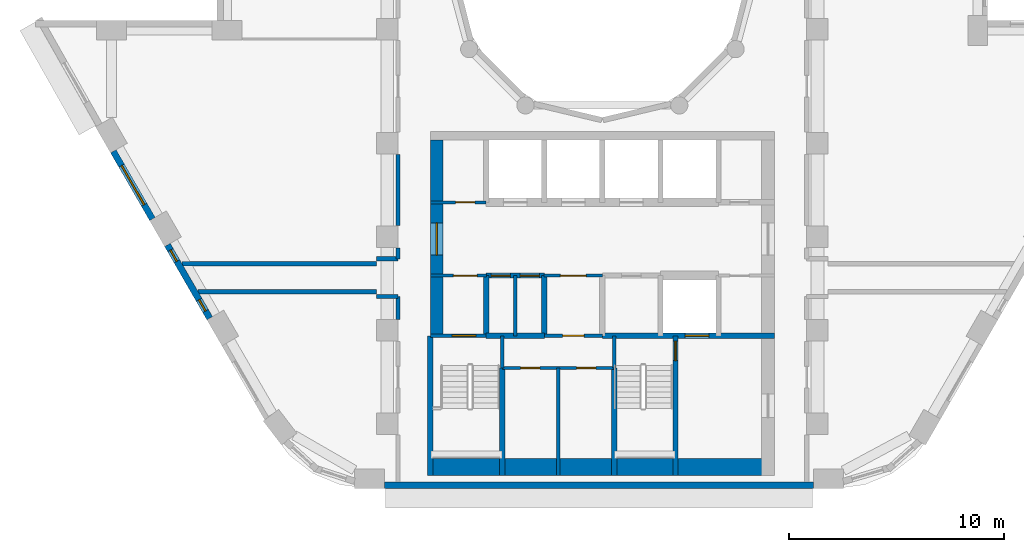
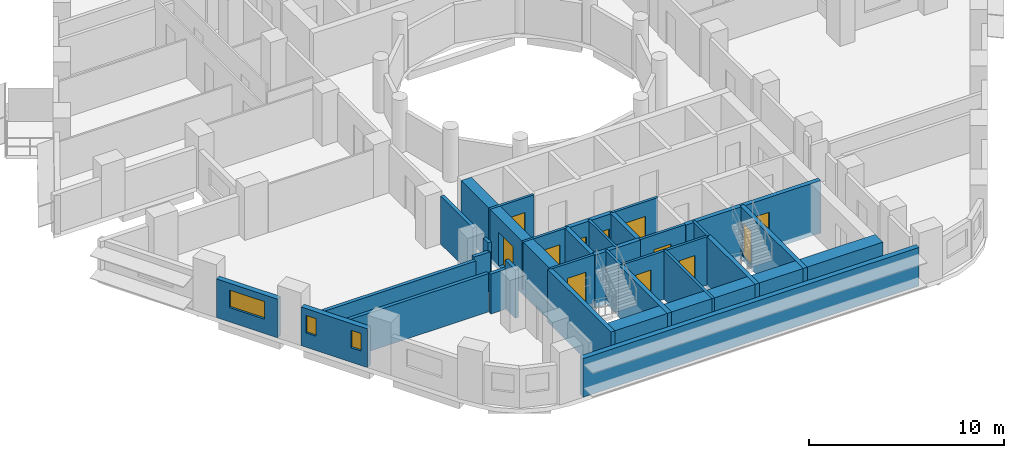
# One storey, part 3 of 14: 31 walls, 12 doors, 3 windows, 15 openings.
"""IFC4 building model written with IfcOpenShell, lengths in metres."""

from ifc_helpers import new_model, si_unit, direction, frame, frame_2d, origin, place, context, subcontext, project, spatial, rectangle, extrude, material, layer, layer_set, type_object, element, fill, save


model = new_model("IFC4")

# Units and contexts
model_context = context("Model", 3, precision=1e-05, world=origin(), true_north=direction((0.0, 1.0)))
body_context = subcontext(model_context, "Body", "Model", "MODEL_VIEW")
ifc_project = project(units=[si_unit("LENGTHUNIT", "METRE"), si_unit("AREAUNIT", "SQUARE_METRE"), si_unit("VOLUMEUNIT", "CUBIC_METRE"), si_unit("PLANEANGLEUNIT", "RADIAN"), si_unit("MASSUNIT", "GRAM", prefix="KILO")], contexts=[model_context])

# Site, building, storey
site_placement = place(None, origin())
site = spatial("IfcSite", under=ifc_project, at=site_placement, CompositionType="ELEMENT")
building_placement = place(site_placement, origin())
building = spatial("IfcBuilding", under=site, at=building_placement, Name="Nakaniwa Court", CompositionType="ELEMENT")
storey_placement = place(building_placement, frame((0.0, 0.0, 114.0)))
storey = spatial("IfcBuildingStorey", under=building, at=storey_placement, Name="L30", CompositionType="ELEMENT", Elevation=114.0)

# Walls
ifc_material_1 = material(Name="Acoustic double stud partition")
ifc_layer_1 = layer(ifc_material_1, 0.199951171875)
ifc_layer_set_1 = layer_set([ifc_layer_1], Name="Acoustic double stud partition")
wall_type_1 = type_object("IfcWallType", Name="Acoustic double stud partition 200", PredefinedType="PARTITIONING", material=ifc_layer_set_1)
wall_1_placement = place(storey_placement, frame((61.207275390625, 65.14990234375, 0.0), z_axis=(0.0, 0.0, 1.0), x_axis=(1.0, 0.0, 0.0)))
element("IfcWall", 1, at=wall_1_placement, inside=storey, type_object=wall_type_1, Name="Partition PW-090", PredefinedType="PARTITIONING", context=body_context, shape_type="SweptSolid", body=[
    extrude(rectangle(XDim=8.292724609375, YDim=0.199951171875, at=frame_2d((4.146484375, 0.0))), origin(), (0.0, 0.0, 1.0), 2.405029296875),
])
for number, where, z_axis, x_axis, name in (
    (2, (69.5, 64.925048828125, 0.0), (0.0, 0.0, 1.0), (1.0, 0.0, 0.0), "Partition PW-092"),
    (3, (69.5, 66.675048828125, 0.0), (0.0, 0.0, 1.0), (1.0, 0.0, 0.0), "Partition PW-094"),
):
    element("IfcWall", number, at=place(storey_placement, frame(where, z_axis=z_axis, x_axis=x_axis)), inside=storey, type_object=wall_type_1, Name=name, PredefinedType="PARTITIONING", context=body_context, shape_type="SweptSolid", body=[
        extrude(rectangle(XDim=1.0, YDim=0.199951171875, at=frame_2d((0.5, 0.0))), origin(), (0.0, 0.0, 1.0), 2.5048828125),
    ])
wall_2_placement = place(storey_placement, frame((60.456787109375, 66.449951171875, 0.0), z_axis=(0.0, 0.0, 1.0), x_axis=(1.0, 0.0, 0.0)))
element("IfcWall", 4, at=wall_2_placement, inside=storey, type_object=wall_type_1, Name="Partition PW-096", PredefinedType="PARTITIONING", context=body_context, shape_type="SweptSolid", body=[
    extrude(rectangle(XDim=9.043212890625, YDim=0.199951171875, at=frame_2d((4.521484375, 0.0))), origin(), (0.0, 0.0, 1.0), 2.405029296875),
])
wall_3_placement = place(storey_placement, frame((70.5, 63.866943359375, 0.0), z_axis=(0.0, 0.0, 1.0), x_axis=(0.0, 1.0, 0.0)))
element("IfcWall", 5, at=wall_3_placement, inside=storey, type_object=wall_type_1, Name="Partition PW-100", PredefinedType="PARTITIONING", context=body_context, shape_type="SweptSolid", body=[
    extrude(rectangle(XDim=1.06103515625, YDim=0.199951171875, at=frame_2d((0.530517578125, 0.0))), origin(), (0.0, 0.0, 1.0), 3.02490234375),
])
wall_4_placement = place(storey_placement, frame((70.5, 66.672119140625, 0.0), z_axis=(0.0, 0.0, 1.0), x_axis=(0.0, 1.0, 0.0)))
element("IfcWall", 6, at=wall_4_placement, inside=storey, type_object=wall_type_1, Name="Partition PW-101", PredefinedType="PARTITIONING", context=body_context, shape_type="SweptSolid", body=[
    extrude(rectangle(XDim=0.510986328125, YDim=0.199951171875, at=frame_2d((0.25537109375, 0.0))), origin(), (0.0, 0.0, 1.0), 3.02490234375),
])
wall_5_placement = place(storey_placement, frame((70.5, 68.217041015625, 0.0), z_axis=(0.0, 0.0, 1.0), x_axis=(0.0, 1.0, 0.0)))
element("IfcWall", 7, at=wall_5_placement, inside=storey, type_object=wall_type_1, Name="Partition PW-102", PredefinedType="PARTITIONING", context=body_context, shape_type="SweptSolid", body=[
    extrude(rectangle(XDim=3.31591796875, YDim=0.199951171875, at=frame_2d((1.657958984375, 0.0))), origin(), (0.0, 0.0, 1.0), 3.02490234375),
])

# Wall, opening, window
ifc_material_2 = material(Name="Charcoal ceramic cladding")
ifc_layer_2 = layer(ifc_material_2, 0.02, Name="Ceramic cladding")
ifc_material_3 = material(Name="Ventilated air cavity")
ifc_layer_3 = layer(ifc_material_3, 0.04, ventilated=True, Name="Ventilated cavity")
ifc_material_4 = material(Name="Mineral wool insulation")
ifc_layer_4 = layer(ifc_material_4, 0.1, Name="Insulation")
ifc_material_5 = material(Name="Cement bonded sheathing board")
ifc_layer_5 = layer(ifc_material_5, 0.012, Name="Sheathing")
ifc_material_6 = material(Name="Cold-formed galvanised stud frame with mineral wool infill")
ifc_layer_6 = layer(ifc_material_6, 0.1, Name="Stud frame")
ifc_material_7 = material(Name="Fire-rated gypsum plasterboard lining")
ifc_layer_7 = layer(ifc_material_7, 0.028, Name="Lining")
ifc_layer_set_2 = layer_set([ifc_layer_2, ifc_layer_3, ifc_layer_4, ifc_layer_5, ifc_layer_6, ifc_layer_7], Name="Charcoal ceramic faced external wall system")
wall_type_2 = type_object("IfcWallType", Name="Black ceramic faced external wall 300", PredefinedType="SOLIDWALL", material=ifc_layer_set_2)
wall_6_placement = place(storey_placement, frame((57.265380859375, 71.677490234375, 0.0), z_axis=(0.0, 0.0, 1.0), x_axis=(0.500009139881, -0.866020126807, 0.0)))
wall_6 = element("IfcWall", 8, at=wall_6_placement, inside=storey, type_object=wall_type_2, Name="L30 external wall 21", PredefinedType="SOLIDWALL", context=body_context, shape_type="SweptSolid", body=[
    extrude(rectangle(XDim=3.63671875, YDim=0.300048828125, at=frame_2d((1.818359375, 0.0))), origin(), (0.0, 0.0, 1.0), 2.425048828125),
])
opening_1_placement = place(wall_6_placement, frame((0.768310546875, 0.0, 0.89990234375)))
opening_1 = element("IfcOpeningElement", 9, at=opening_1_placement, cuts=wall_6, Name="Opening W7.15", PredefinedType="OPENING", context=body_context, shape_type="SweptSolid", body=[
    extrude(rectangle(XDim=2.10009765625, YDim=1.10009765625, at=frame_2d((1.050048828125, 0.550048828125))), frame((0.0, 0.159912109375, 0.0), z_axis=(0.0, -1.0, 0.0), x_axis=(1.0, 0.0, 0.0)), (0.0, 0.0, 1.0), 0.320068359375),
])
ifc_material_8 = material(Name="Black anodised aluminium frame with dark low-E laminated double glazing", Category="aluminium")
window_type_1 = type_object("IfcWindowType", Name="Dark glass window 2100x1100 sill 900", PartitioningType="SINGLE_PANEL", PredefinedType="WINDOW", material=ifc_material_8)
window_1_placement = place(opening_1_placement, origin())
window_1 = element("IfcWindow", 10, at=window_1_placement, inside=storey, type_object=window_type_1, Name="L30 habitable room window 21-0", OverallHeight=1.10009765625, OverallWidth=2.10009765625, PartitioningType="SINGLE_PANEL", PredefinedType="WINDOW", context=body_context, shape_type="SweptSolid", body=[
    extrude(rectangle(XDim=2.10009765625, YDim=1.10009765625, at=frame_2d((1.050048828125, 0.550048828125))), frame((0.0, 0.030029296875, 0.0), z_axis=(0.0, -1.0, 0.0), x_axis=(1.0, 0.0, 0.0)), (0.0, 0.0, 1.0), 0.06005859375),
])
fill(opening_1, window_1)

# Wall, openings, windows
wall_7_placement = place(storey_placement, frame((59.77978515625, 67.322509765625, 0.0), z_axis=(0.0, 0.0, 1.0), x_axis=(0.499957037901, -0.866050206543, 0.0)))
wall_7 = element("IfcWall", 11, at=wall_7_placement, inside=storey, type_object=wall_type_2, Name="L30 external wall 22", PredefinedType="SOLIDWALL", context=body_context, shape_type="SweptSolid", body=[
    extrude(rectangle(XDim=3.933837890625, YDim=0.300048828125, at=frame_2d((1.966796875, 0.0))), origin(), (0.0, 0.0, 1.0), 2.425048828125),
])
opening_2_placement = place(wall_7_placement, frame((0.27783203125, 0.0, 0.89990234375)))
opening_2 = element("IfcOpeningElement", 12, at=opening_2_placement, cuts=wall_7, Name="Opening W8.16", PredefinedType="OPENING", context=body_context, shape_type="SweptSolid", body=[
    extrude(rectangle(XDim=0.60009765625, YDim=1.10009765625, at=frame_2d((0.300048828125, 0.550048828125))), frame((0.0, 0.159912109375, 0.0), z_axis=(0.0, -1.0, 0.0), x_axis=(1.0, 0.0, 0.0)), (0.0, 0.0, 1.0), 0.320068359375),
])
opening_3_placement = place(wall_7_placement, frame((2.9453125, 0.0, 0.89990234375)))
opening_3 = element("IfcOpeningElement", 13, at=opening_3_placement, cuts=wall_7, Name="Opening W8.17", PredefinedType="OPENING", context=body_context, shape_type="SweptSolid", body=[
    extrude(rectangle(XDim=0.60009765625, YDim=1.10009765625, at=frame_2d((0.300048828125, 0.550048828125))), frame((0.0, 0.159912109375, 0.0), z_axis=(0.0, -1.0, 0.0), x_axis=(1.0, 0.0, 0.0)), (0.0, 0.0, 1.0), 0.320068359375),
])
window_type_2 = type_object("IfcWindowType", Name="Dark glass window 600x1100 sill 900", PartitioningType="SINGLE_PANEL", PredefinedType="WINDOW", material=ifc_material_8)
window_2_placement = place(opening_2_placement, origin())
window_2 = element("IfcWindow", 14, at=window_2_placement, inside=storey, type_object=window_type_2, Name="L30 habitable room window 22-0", OverallHeight=1.10009765625, OverallWidth=0.60009765625, PartitioningType="SINGLE_PANEL", PredefinedType="WINDOW", context=body_context, shape_type="SweptSolid", body=[
    extrude(rectangle(XDim=0.60009765625, YDim=1.10009765625, at=frame_2d((0.300048828125, 0.550048828125))), frame((0.0, 0.030029296875, 0.0), z_axis=(0.0, -1.0, 0.0), x_axis=(1.0, 0.0, 0.0)), (0.0, 0.0, 1.0), 0.06005859375),
])
fill(opening_2, window_2)
window_3_placement = place(opening_3_placement, origin())
window_3 = element("IfcWindow", 15, at=window_3_placement, inside=storey, type_object=window_type_2, Name="L30 habitable room window 22-2", OverallHeight=1.10009765625, OverallWidth=0.60009765625, PartitioningType="SINGLE_PANEL", PredefinedType="WINDOW", context=body_context, shape_type="SweptSolid", body=[
    extrude(rectangle(XDim=0.60009765625, YDim=1.10009765625, at=frame_2d((0.300048828125, 0.550048828125))), frame((0.0, 0.030029296875, 0.0), z_axis=(0.0, -1.0, 0.0), x_axis=(1.0, 0.0, 0.0)), (0.0, 0.0, 1.0), 0.06005859375),
])
fill(opening_3, window_3)

# Wall
wall_8_placement = place(storey_placement, frame((69.871337890625, 56.14990234375, 0.0), z_axis=(0.0, 0.0, 1.0), x_axis=(1.0, 0.0, 0.0)))
element("IfcWall", 16, at=wall_8_placement, inside=storey, type_object=wall_type_2, Name="L30 external wall 26", PredefinedType="SOLIDWALL", context=body_context, shape_type="SweptSolid", body=[
    extrude(rectangle(XDim=19.939697265625, YDim=0.300048828125, at=frame_2d((9.9697265625, 0.0))), origin(), (0.0, 0.0, 1.0), 2.425048828125),
])

# Wall, opening, door
ifc_material_9 = material(Name="Blockwork partition", Category="masonry")
ifc_layer_8 = layer(ifc_material_9, 0.14990234375)
ifc_layer_set_3 = layer_set([ifc_layer_8], Name="Blockwork partition")
wall_type_3 = type_object("IfcWallType", Name="Blockwork partition 150", PredefinedType="PARTITIONING", material=ifc_layer_set_3)
wall_9_placement = place(storey_placement, frame((72.0, 69.300048828125, 0.0), z_axis=(0.0, 0.0, 1.0), x_axis=(1.0, 0.0, 0.0)))
wall_9 = element("IfcWall", 17, at=wall_9_placement, inside=storey, type_object=wall_type_3, Name="Partition PW-037", PredefinedType="PARTITIONING", context=body_context, shape_type="SweptSolid", body=[
    extrude(rectangle(XDim=2.60009765625, YDim=0.14990234375, at=frame_2d((1.300048828125, 0.0))), origin(), (0.0, 0.0, 1.0), 3.02490234375),
])
opening_4_placement = place(wall_9_placement, frame((1.175048828125, 0.0, 0.0)))
opening_4 = element("IfcOpeningElement", 18, at=opening_4_placement, cuts=wall_9, Name="Opening D-05-09", PredefinedType="OPENING", context=body_context, shape_type="SweptSolid", body=[
    extrude(rectangle(XDim=0.89990234375, YDim=2.10009765625, at=frame_2d((0.449951171875, 1.050048828125))), frame((0.0, 0.0849609375, 0.0), z_axis=(0.0, -1.0, 0.0), x_axis=(1.0, 0.0, 0.0)), (0.0, 0.0, 1.0), 0.169921875),
])
ifc_material_10 = material(Name="Fire rated steel door set", Category="steel")
door_type_1 = type_object("IfcDoorType", Name="Service room door 900", OperationType="NOTDEFINED", PredefinedType="DOOR", material=ifc_material_10)
door_1_placement = place(opening_4_placement, origin())
door_1 = element("IfcDoor", 19, at=door_1_placement, inside=storey, type_object=door_type_1, Name="Door D-05-09 L30-014", OperationType="SINGLE_SWING_LEFT", OverallHeight=2.10009765625, OverallWidth=0.89990234375, PredefinedType="DOOR", context=body_context, shape_type="SweptSolid", body=[
    extrude(rectangle(XDim=0.89990234375, YDim=2.10009765625, at=frame_2d((0.449951171875, 1.050048828125))), frame((0.0, 0.02490234375, 0.0), z_axis=(0.0, -1.0, 0.0), x_axis=(1.0, 0.0, 0.0)), (0.0, 0.0, 1.0), 0.050048828125),
])
fill(opening_4, door_1)

wall_10_placement = place(storey_placement, frame((74.60302734375, 65.89990234375, 0.0), z_axis=(0.0, 0.0, 1.0), x_axis=(-1.0, 0.0, 0.0)))
wall_10 = element("IfcWall", 20, at=wall_10_placement, inside=storey, type_object=wall_type_3, Name="Partition PW-050", PredefinedType="PARTITIONING", context=body_context, shape_type="SweptSolid", body=[
    extrude(rectangle(XDim=2.60302734375, YDim=0.14990234375, at=frame_2d((1.301513671875, 0.0))), origin(), (0.0, 0.0, 1.0), 3.02490234375),
])
opening_5_placement = place(wall_10_placement, frame((0.427978515625, 0.0, 0.0)))
opening_5 = element("IfcOpeningElement", 21, at=opening_5_placement, cuts=wall_10, Name="Opening D-08-02", PredefinedType="OPENING", context=body_context, shape_type="SweptSolid", body=[
    extrude(rectangle(XDim=1.10009765625, YDim=2.10009765625, at=frame_2d((0.550048828125, 1.050048828125))), frame((0.0, 0.0849609375, 0.0), z_axis=(0.0, -1.0, 0.0), x_axis=(1.0, 0.0, 0.0)), (0.0, 0.0, 1.0), 0.169921875),
])
door_type_2 = type_object("IfcDoorType", Name="Stair lobby door 1100", OperationType="NOTDEFINED", PredefinedType="DOOR", material=ifc_material_10)
door_2_placement = place(opening_5_placement, origin())
door_2 = element("IfcDoor", 22, at=door_2_placement, inside=storey, type_object=door_type_2, Name="Door D-08-02 L30-016", OperationType="SINGLE_SWING_LEFT", OverallHeight=2.10009765625, OverallWidth=1.10009765625, PredefinedType="DOOR", context=body_context, shape_type="SweptSolid", body=[
    extrude(rectangle(XDim=1.10009765625, YDim=2.10009765625, at=frame_2d((0.550048828125, 1.050048828125))), frame((0.0, 0.02490234375, 0.0), z_axis=(0.0, -1.0, 0.0), x_axis=(1.0, 0.0, 0.0)), (0.0, 0.0, 1.0), 0.050048828125),
])
fill(opening_5, door_2)

wall_11_placement = place(storey_placement, frame((80.0029296875, 65.89990234375, 0.0), z_axis=(0.0, 0.0, 1.0), x_axis=(-1.0, 0.0, 0.0)))
wall_11 = element("IfcWall", 23, at=wall_11_placement, inside=storey, type_object=wall_type_3, Name="Partition PW-051", PredefinedType="PARTITIONING", context=body_context, shape_type="SweptSolid", body=[
    extrude(rectangle(XDim=2.705810546875, YDim=0.14990234375, at=frame_2d((1.35302734375, 0.0))), origin(), (0.0, 0.0, 1.0), 3.02490234375),
])
opening_6_placement = place(wall_11_placement, frame((0.7529296875, 0.0, 0.0)))
opening_6 = element("IfcOpeningElement", 24, at=opening_6_placement, cuts=wall_11, Name="Opening D-06-02", PredefinedType="OPENING", context=body_context, shape_type="SweptSolid", body=[
    extrude(rectangle(XDim=1.199951171875, YDim=2.10009765625, at=frame_2d((0.60009765625, 1.050048828125))), frame((0.0, 0.0849609375, 0.0), z_axis=(0.0, -1.0, 0.0), x_axis=(1.0, 0.0, 0.0)), (0.0, 0.0, 1.0), 0.169921875),
])
ifc_material_11 = material(Name="Fire rated steel double door set", Category="steel")
door_type_3 = type_object("IfcDoorType", Name="Service passage double door 1200", OperationType="NOTDEFINED", PredefinedType="DOOR", material=ifc_material_11)
door_3_placement = place(opening_6_placement, origin())
door_3 = element("IfcDoor", 25, at=door_3_placement, inside=storey, type_object=door_type_3, Name="Door D-06-02 L30-019", OperationType="DOUBLE_DOOR_SINGLE_SWING", OverallHeight=2.10009765625, OverallWidth=1.199951171875, PredefinedType="DOOR", context=body_context, shape_type="SweptSolid", body=[
    extrude(rectangle(XDim=1.199951171875, YDim=2.10009765625, at=frame_2d((0.60009765625, 1.050048828125))), frame((0.0, 0.02490234375, 0.0), z_axis=(0.0, -1.0, 0.0), x_axis=(1.0, 0.0, 0.0)), (0.0, 0.0, 1.0), 0.050048828125),
])
fill(opening_6, door_3)

# Wall
wall_12_placement = place(storey_placement, frame((75.949951171875, 63.10009765625, 0.0), z_axis=(0.0, 0.0, 1.0), x_axis=(0.0, 1.0, 0.0)))
element("IfcWall", 26, at=wall_12_placement, inside=storey, type_object=wall_type_3, Name="Partition PW-057", PredefinedType="PARTITIONING", context=body_context, shape_type="SweptSolid", body=[
    extrude(rectangle(XDim=2.7998046875, YDim=0.14990234375, at=frame_2d((1.39990234375, 0.0))), origin(), (0.0, 0.0, 1.0), 3.02490234375),
])

# Wall, opening, door
wall_13_placement = place(storey_placement, frame((80.0, 63.10009765625, 0.0), z_axis=(0.0, 0.0, 1.0), x_axis=(-1.0, 0.0, 0.0)))
wall_13 = element("IfcWall", 27, at=wall_13_placement, inside=storey, type_object=wall_type_3, Name="Partition PW-060", PredefinedType="PARTITIONING", context=body_context, shape_type="SweptSolid", body=[
    extrude(rectangle(XDim=2.699951171875, YDim=0.14990234375, at=frame_2d((1.35009765625, 0.0))), origin(), (0.0, 0.0, 1.0), 3.02490234375),
])
opening_7_placement = place(wall_13_placement, frame((0.85009765625, 0.0, 0.0)))
opening_7 = element("IfcOpeningElement", 28, at=opening_7_placement, cuts=wall_13, Name="Opening D-23-02", PredefinedType="OPENING", context=body_context, shape_type="SweptSolid", body=[
    extrude(rectangle(XDim=1.0, YDim=2.10009765625, at=frame_2d((0.5, 1.050048828125))), frame((0.0, 0.0849609375, 0.0), z_axis=(0.0, -1.0, 0.0), x_axis=(1.0, 0.0, 0.0)), (0.0, 0.0, 1.0), 0.169921875),
])
door_type_4 = type_object("IfcDoorType", Name="Service room door 1000", OperationType="NOTDEFINED", PredefinedType="DOOR", material=ifc_material_10)
door_4_placement = place(opening_7_placement, origin())
door_4 = element("IfcDoor", 29, at=door_4_placement, inside=storey, type_object=door_type_4, Name="Door D-23-02 L30-022", OperationType="SINGLE_SWING_LEFT", OverallHeight=2.10009765625, OverallWidth=1.0, PredefinedType="DOOR", context=body_context, shape_type="SweptSolid", body=[
    extrude(rectangle(XDim=1.0, YDim=2.10009765625, at=frame_2d((0.5, 1.050048828125))), frame((0.0, 0.02490234375, 0.0), z_axis=(0.0, -1.0, 0.0), x_axis=(1.0, 0.0, 0.0)), (0.0, 0.0, 1.0), 0.050048828125),
])
fill(opening_7, door_4)

# Wall, openings, doors
wall_14_placement = place(storey_placement, frame((80.550048828125, 61.60009765625, 0.0), z_axis=(0.0, 0.0, 1.0), x_axis=(-1.0, 0.0, 0.0)))
wall_14 = element("IfcWall", 30, at=wall_14_placement, inside=storey, type_object=wall_type_3, Name="Partition PW-067", PredefinedType="PARTITIONING", context=body_context, shape_type="SweptSolid", body=[
    extrude(rectangle(XDim=5.199951171875, YDim=0.14990234375, at=frame_2d((2.60009765625, 0.0))), origin(), (0.0, 0.0, 1.0), 3.02490234375),
])
opening_8_placement = place(wall_14_placement, frame((3.449951171875, 0.0, 0.0)))
opening_8 = element("IfcOpeningElement", 31, at=opening_8_placement, cuts=wall_14, Name="Opening D-05-15", PredefinedType="OPENING", context=body_context, shape_type="SweptSolid", body=[
    extrude(rectangle(XDim=0.89990234375, YDim=2.10009765625, at=frame_2d((0.449951171875, 1.050048828125))), frame((0.0, 0.0849609375, 0.0), z_axis=(0.0, -1.0, 0.0), x_axis=(1.0, 0.0, 0.0)), (0.0, 0.0, 1.0), 0.169921875),
])
opening_9_placement = place(wall_14_placement, frame((0.85009765625, 0.0, 0.0)))
opening_9 = element("IfcOpeningElement", 32, at=opening_9_placement, cuts=wall_14, Name="Opening D-05-16", PredefinedType="OPENING", context=body_context, shape_type="SweptSolid", body=[
    extrude(rectangle(XDim=0.89990234375, YDim=2.10009765625, at=frame_2d((0.449951171875, 1.050048828125))), frame((0.0, 0.0849609375, 0.0), z_axis=(0.0, -1.0, 0.0), x_axis=(1.0, 0.0, 0.0)), (0.0, 0.0, 1.0), 0.169921875),
])
door_5_placement = place(opening_8_placement, origin())
door_5 = element("IfcDoor", 33, at=door_5_placement, inside=storey, type_object=door_type_1, Name="Door D-05-15 L30-023", OperationType="SINGLE_SWING_RIGHT", OverallHeight=2.10009765625, OverallWidth=0.89990234375, PredefinedType="DOOR", context=body_context, shape_type="SweptSolid", body=[
    extrude(rectangle(XDim=0.89990234375, YDim=2.10009765625, at=frame_2d((0.449951171875, 1.050048828125))), frame((0.0, 0.02490234375, 0.0), z_axis=(0.0, -1.0, 0.0), x_axis=(1.0, 0.0, 0.0)), (0.0, 0.0, 1.0), 0.050048828125),
])
fill(opening_8, door_5)
door_6_placement = place(opening_9_placement, origin())
door_6 = element("IfcDoor", 34, at=door_6_placement, inside=storey, type_object=door_type_1, Name="Door D-05-16 L30-024", OperationType="SINGLE_SWING_LEFT", OverallHeight=2.10009765625, OverallWidth=0.89990234375, PredefinedType="DOOR", context=body_context, shape_type="SweptSolid", body=[
    extrude(rectangle(XDim=0.89990234375, YDim=2.10009765625, at=frame_2d((0.449951171875, 1.050048828125))), frame((0.0, 0.02490234375, 0.0), z_axis=(0.0, -1.0, 0.0), x_axis=(1.0, 0.0, 0.0)), (0.0, 0.0, 1.0), 0.050048828125),
])
fill(opening_9, door_6)

# Wall
wall_15_placement = place(storey_placement, frame((77.949951171875, 56.60009765625, 0.0), z_axis=(0.0, 0.0, 1.0), x_axis=(0.0, 1.0, 0.0)))
element("IfcWall", 35, at=wall_15_placement, inside=storey, type_object=wall_type_3, Name="Partition PW-068", PredefinedType="PARTITIONING", context=body_context, shape_type="SweptSolid", body=[
    extrude(rectangle(XDim=5.0, YDim=0.14990234375, at=frame_2d((2.5, 0.0))), origin(), (0.0, 0.0, 1.0), 3.02490234375),
])

# Wall, opening, door
ifc_material_12 = material(Name="Concrete C80/100", Category="concrete")
ifc_layer_9 = layer(ifc_material_12, 0.60009765625)
ifc_layer_set_4 = layer_set([ifc_layer_9], Name="Concrete C80/100")
wall_type_4 = type_object("IfcWallType", Name="Concrete core side wall 600 C80", PredefinedType="SHEAR", material=ifc_layer_set_4)
wall_16_placement = place(storey_placement, frame((72.300048828125, 63.10009765625, -0.27490234375), z_axis=(0.0, 0.0, 1.0), x_axis=(0.0, 1.0, 0.0)))
wall_16 = element("IfcWall", 36, at=wall_16_placement, inside=storey, type_object=wall_type_4, Name="Core wall SW-38", PredefinedType="SHEAR", context=body_context, shape_type="SweptSolid", body=[
    extrude(rectangle(XDim=9.099853515625, YDim=0.60009765625, at=frame_2d((4.5498046875, 0.0))), origin(), (0.0, 0.0, 1.0), 3.2998046875),
])
opening_10_placement = place(wall_16_placement, frame((3.75, 0.0, 0.27490234375)))
opening_10 = element("IfcOpeningElement", 37, at=opening_10_placement, cuts=wall_16, Name="Opening D-07-04", PredefinedType="OPENING", context=body_context, shape_type="SweptSolid", body=[
    extrude(rectangle(XDim=1.5, YDim=2.10009765625, at=frame_2d((0.75, 1.050048828125))), frame((0.0, 0.31005859375, 0.0), z_axis=(0.0, -1.0, 0.0), x_axis=(1.0, 0.0, 0.0)), (0.0, 0.0, 1.0), 0.6201171875),
])
ifc_material_13 = material(Name="Glazed fire rated steel double door set", Category="steel")
door_type_5 = type_object("IfcDoorType", Name="Lobby double door 1500", OperationType="NOTDEFINED", PredefinedType="DOOR", material=ifc_material_13)
door_7_placement = place(opening_10_placement, origin())
door_7 = element("IfcDoor", 38, at=door_7_placement, inside=storey, type_object=door_type_5, Name="Door D-07-04 L30-051", OperationType="DOUBLE_DOOR_SINGLE_SWING", OverallHeight=2.10009765625, OverallWidth=1.5, PredefinedType="DOOR", context=body_context, shape_type="SweptSolid", body=[
    extrude(rectangle(XDim=1.5, YDim=2.10009765625, at=frame_2d((0.75, 1.050048828125))), frame((0.0, 0.02490234375, 0.0), z_axis=(0.0, -1.0, 0.0), x_axis=(1.0, 0.0, 0.0)), (0.0, 0.0, 1.0), 0.050048828125),
])
fill(opening_10, door_7)

ifc_layer_10 = layer(ifc_material_12, 0.14990234375)
ifc_layer_set_5 = layer_set([ifc_layer_10], Name="Concrete C80/100")
wall_type_5 = type_object("IfcWallType", Name="Concrete core wall 150 C80", PredefinedType="SHEAR", material=ifc_layer_set_5)
wall_17_placement = place(storey_placement, frame((72.0, 63.10009765625, -0.27490234375), z_axis=(0.0, 0.0, 1.0), x_axis=(1.0, 0.0, 0.0)))
wall_17 = element("IfcWall", 39, at=wall_17_placement, inside=storey, type_object=wall_type_5, Name="Core wall SW-56", PredefinedType="SHEAR", context=body_context, shape_type="SweptSolid", body=[
    extrude(rectangle(XDim=2.60009765625, YDim=0.14990234375, at=frame_2d((1.300048828125, 0.0))), origin(), (0.0, 0.0, 1.0), 3.2998046875),
])
opening_11_placement = place(wall_17_placement, frame((1.02001953125, 0.0, 0.27490234375)))
opening_11 = element("IfcOpeningElement", 40, at=opening_11_placement, cuts=wall_17, Name="Opening D-09-02", PredefinedType="OPENING", context=body_context, shape_type="SweptSolid", body=[
    extrude(rectangle(XDim=1.10009765625, YDim=2.10009765625, at=frame_2d((0.550048828125, 1.050048828125))), frame((0.0, 0.0849609375, 0.0), z_axis=(0.0, -1.0, 0.0), x_axis=(1.0, 0.0, 0.0)), (0.0, 0.0, 1.0), 0.169921875),
])
door_type_6 = type_object("IfcDoorType", Name="Stair door 1100", OperationType="NOTDEFINED", PredefinedType="DOOR", material=ifc_material_10)
door_8_placement = place(opening_11_placement, origin())
door_8 = element("IfcDoor", 41, at=door_8_placement, inside=storey, type_object=door_type_6, Name="Door D-09-02 L30-025", OperationType="SINGLE_SWING_LEFT", OverallHeight=2.10009765625, OverallWidth=1.10009765625, PredefinedType="DOOR", context=body_context, shape_type="SweptSolid", body=[
    extrude(rectangle(XDim=1.10009765625, YDim=2.10009765625, at=frame_2d((0.550048828125, 1.050048828125))), frame((0.0, 0.02490234375, 0.0), z_axis=(0.0, -1.0, 0.0), x_axis=(1.0, 0.0, 0.0)), (0.0, 0.0, 1.0), 0.050048828125),
])
fill(opening_11, door_8)

# Walls
for number, where, z_axis, x_axis, name in (
    (42, (75.35009765625, 61.596923828125, -0.27490234375), (0.0, 0.0, 1.0), (0.0, 1.0, 0.0), "Core wall SW-61"),
    (43, (80.550048828125, 61.596923828125, -0.27490234375), (0.0, 0.0, 1.0), (0.0, 1.0, 0.0), "Core wall SW-65"),
):
    element("IfcWall", number, at=place(storey_placement, frame(where, z_axis=z_axis, x_axis=x_axis)), inside=storey, type_object=wall_type_5, Name=name, PredefinedType="SHEAR", context=body_context, shape_type="SweptSolid", body=[
        extrude(rectangle(XDim=1.503173828125, YDim=0.14990234375, at=frame_2d((0.75146484375, 0.0))), origin(), (0.0, 0.0, 1.0), 3.2998046875),
    ])
ifc_layer_11 = layer(ifc_material_12, 0.25)
ifc_layer_set_6 = layer_set([ifc_layer_11], Name="Concrete C80/100")
wall_type_6 = type_object("IfcWallType", Name="Concrete core wall 250 C80", PredefinedType="SHEAR", material=ifc_layer_set_6)
wall_18_placement = place(storey_placement, frame((72.0, 56.60009765625, -0.27490234375), z_axis=(0.0, 0.0, 1.0), x_axis=(0.0, 1.0, 0.0)))
element("IfcWall", 44, at=wall_18_placement, inside=storey, type_object=wall_type_6, Name="Core wall SW-63", PredefinedType="SHEAR", context=body_context, shape_type="SweptSolid", body=[
    extrude(rectangle(XDim=6.5, YDim=0.25, at=frame_2d((3.25, 0.0))), origin(), (0.0, 0.0, 1.0), 3.2998046875),
])
ifc_layer_12 = layer(ifc_material_12, 0.800048828125)
ifc_layer_set_7 = layer_set([ifc_layer_12], Name="Concrete C80/100")
wall_type_7 = type_object("IfcWallType", Name="Concrete core wall 800 C80", PredefinedType="SHEAR", material=ifc_layer_set_7)
wall_19_placement = place(storey_placement, frame((72.00390625, 57.0, -0.27490234375), z_axis=(0.0, 0.0, 1.0), x_axis=(1.0, 0.0, 0.0)))
element("IfcWall", 45, at=wall_19_placement, inside=storey, type_object=wall_type_7, Name="Core wall SW-130", PredefinedType="SHEAR", context=body_context, shape_type="SweptSolid", body=[
    extrude(rectangle(XDim=15.9921875, YDim=0.800048828125, at=frame_2d((7.99609375, 0.0))), origin(), (0.0, 0.0, 1.0), 3.2998046875),
])
ifc_layer_13 = layer(ifc_material_12, 0.25)
ifc_layer_set_8 = layer_set([ifc_layer_13], Name="Concrete C80/100")
wall_type_8 = type_object("IfcWallType", Name="Concrete shaft wall 250 C80", PredefinedType="SHEAR", material=ifc_layer_set_8)
for number, where, z_axis, x_axis, name in (
    (46, (74.60009765625, 63.10009765625, -0.27490234375), (0.0, 0.0, 1.0), (0.0, 1.0, 0.0), "Core wall SW-35"),
    (47, (77.300048828125, 63.10009765625, -0.27490234375), (0.0, 0.0, 1.0), (0.0, 1.0, 0.0), "Core wall SW-39"),
):
    element("IfcWall", number, at=place(storey_placement, frame(where, z_axis=z_axis, x_axis=x_axis)), inside=storey, type_object=wall_type_8, Name=name, PredefinedType="SHEAR", context=body_context, shape_type="SweptSolid", body=[
        extrude(rectangle(XDim=2.7998046875, YDim=0.25, at=frame_2d((1.39990234375, 0.0))), origin(), (0.0, 0.0, 1.0), 3.2998046875),
    ])

# Wall, openings, doors
wall_20_placement = place(storey_placement, frame((77.302978515625, 65.89990234375, -0.27490234375), z_axis=(0.0, 0.0, 1.0), x_axis=(-1.0, 0.0, 0.0)))
wall_20 = element("IfcWall", 48, at=wall_20_placement, inside=storey, type_object=wall_type_8, Name="Core wall SW-53", PredefinedType="SHEAR", context=body_context, shape_type="SweptSolid", body=[
    extrude(rectangle(XDim=2.7060546875, YDim=0.25, at=frame_2d((1.35302734375, 0.0))), origin(), (0.0, 0.0, 1.0), 3.2998046875),
])
opening_12_placement = place(wall_20_placement, frame((1.577880859375, 0.0, 0.27490234375)))
opening_12 = element("IfcOpeningElement", 49, at=opening_12_placement, cuts=wall_20, Name="Opening D-05-11", PredefinedType="OPENING", context=body_context, shape_type="SweptSolid", body=[
    extrude(rectangle(XDim=0.89990234375, YDim=2.10009765625, at=frame_2d((0.449951171875, 1.050048828125))), frame((0.0, 0.135009765625, 0.0), z_axis=(0.0, -1.0, 0.0), x_axis=(1.0, 0.0, 0.0)), (0.0, 0.0, 1.0), 0.27001953125),
])
opening_13_placement = place(wall_20_placement, frame((0.22802734375, 0.0, 0.27490234375)))
opening_13 = element("IfcOpeningElement", 50, at=opening_13_placement, cuts=wall_20, Name="Opening D-05-12", PredefinedType="OPENING", context=body_context, shape_type="SweptSolid", body=[
    extrude(rectangle(XDim=0.89990234375, YDim=2.10009765625, at=frame_2d((0.449951171875, 1.050048828125))), frame((0.0, 0.135009765625, 0.0), z_axis=(0.0, -1.0, 0.0), x_axis=(1.0, 0.0, 0.0)), (0.0, 0.0, 1.0), 0.27001953125),
])
door_9_placement = place(opening_12_placement, origin())
door_9 = element("IfcDoor", 51, at=door_9_placement, inside=storey, type_object=door_type_1, Name="Door D-05-11 L30-017", OperationType="SINGLE_SWING_RIGHT", OverallHeight=2.10009765625, OverallWidth=0.89990234375, PredefinedType="DOOR", context=body_context, shape_type="SweptSolid", body=[
    extrude(rectangle(XDim=0.89990234375, YDim=2.10009765625, at=frame_2d((0.449951171875, 1.050048828125))), frame((0.0, 0.02490234375, 0.0), z_axis=(0.0, -1.0, 0.0), x_axis=(1.0, 0.0, 0.0)), (0.0, 0.0, 1.0), 0.050048828125),
])
fill(opening_12, door_9)
door_10_placement = place(opening_13_placement, origin())
door_10 = element("IfcDoor", 52, at=door_10_placement, inside=storey, type_object=door_type_1, Name="Door D-05-12 L30-018", OperationType="SINGLE_SWING_LEFT", OverallHeight=2.10009765625, OverallWidth=0.89990234375, PredefinedType="DOOR", context=body_context, shape_type="SweptSolid", body=[
    extrude(rectangle(XDim=0.89990234375, YDim=2.10009765625, at=frame_2d((0.449951171875, 1.050048828125))), frame((0.0, 0.02490234375, 0.0), z_axis=(0.0, -1.0, 0.0), x_axis=(1.0, 0.0, 0.0)), (0.0, 0.0, 1.0), 0.050048828125),
])
fill(opening_13, door_10)

# Wall
wall_21_placement = place(storey_placement, frame((74.60009765625, 63.10009765625, -0.27490234375), z_axis=(0.0, 0.0, 1.0), x_axis=(1.0, 0.0, 0.0)))
element("IfcWall", 53, at=wall_21_placement, inside=storey, type_object=wall_type_8, Name="Core wall SW-58", PredefinedType="SHEAR", context=body_context, shape_type="SweptSolid", body=[
    extrude(rectangle(XDim=2.699951171875, YDim=0.25, at=frame_2d((1.35009765625, 0.0))), origin(), (0.0, 0.0, 1.0), 3.2998046875),
])

# Wall, opening, door
wall_22_placement = place(storey_placement, frame((80.0, 63.10009765625, -0.27490234375), z_axis=(0.0, 0.0, 1.0), x_axis=(1.0, 0.0, 0.0)))
wall_22 = element("IfcWall", 54, at=wall_22_placement, inside=storey, type_object=wall_type_8, Name="Core wall SW-59", PredefinedType="SHEAR", context=body_context, shape_type="SweptSolid", body=[
    extrude(rectangle(XDim=8.0, YDim=0.25, at=frame_2d((4.0, 0.0))), origin(), (0.0, 0.0, 1.0), 3.2998046875),
])
opening_14_placement = place(wall_22_placement, frame((3.84912109375, 0.0, 0.27490234375)))
opening_14 = element("IfcOpeningElement", 55, at=opening_14_placement, cuts=wall_22, Name="Opening LD08", PredefinedType="OPENING", context=body_context, shape_type="SweptSolid", body=[
    extrude(rectangle(XDim=1.10009765625, YDim=2.10009765625, at=frame_2d((0.550048828125, 1.050048828125))), frame((0.0, 0.135009765625, 0.0), z_axis=(0.0, -1.0, 0.0), x_axis=(1.0, 0.0, 0.0)), (0.0, 0.0, 1.0), 0.27001953125),
])
ifc_material_14 = material(Name="Stainless steel sliding lift landing door", Category="steel")
door_type_7 = type_object("IfcDoorType", Name="Lift landing door 1100", OperationType="NOTDEFINED", PredefinedType="DOOR", material=ifc_material_14)
door_11_placement = place(opening_14_placement, origin())
door_11 = element("IfcDoor", 56, at=door_11_placement, inside=storey, type_object=door_type_7, Name="Lift landing door LD08 L30-008", OperationType="SLIDING_TO_LEFT", OverallHeight=2.10009765625, OverallWidth=1.10009765625, PredefinedType="DOOR", context=body_context, shape_type="SweptSolid", body=[
    extrude(rectangle(XDim=1.10009765625, YDim=2.10009765625, at=frame_2d((0.550048828125, 1.050048828125))), frame((0.0, 0.02490234375, 0.0), z_axis=(0.0, -1.0, 0.0), x_axis=(1.0, 0.0, 0.0)), (0.0, 0.0, 1.0), 0.050048828125),
])
fill(opening_14, door_11)

# Wall
wall_23_placement = place(storey_placement, frame((75.35009765625, 56.60009765625, -0.27490234375), z_axis=(0.0, 0.0, 1.0), x_axis=(0.0, 1.0, 0.0)))
element("IfcWall", 57, at=wall_23_placement, inside=storey, type_object=wall_type_8, Name="Core wall SW-62", PredefinedType="SHEAR", context=body_context, shape_type="SweptSolid", body=[
    extrude(rectangle(XDim=5.0029296875, YDim=0.25, at=frame_2d((2.50146484375, 0.0))), origin(), (0.0, 0.0, 1.0), 3.2998046875),
])

# Wall, opening, door
wall_24_placement = place(storey_placement, frame((83.39990234375, 63.10009765625, -0.27490234375), z_axis=(0.0, 0.0, 1.0), x_axis=(0.0, -1.0, 0.0)))
wall_24 = element("IfcWall", 58, at=wall_24_placement, inside=storey, type_object=wall_type_8, Name="Core wall SW-64", PredefinedType="SHEAR", context=body_context, shape_type="SweptSolid", body=[
    extrude(rectangle(XDim=6.5, YDim=0.25, at=frame_2d((3.25, 0.0))), origin(), (0.0, 0.0, 1.0), 3.2998046875),
])
opening_15_placement = place(wall_24_placement, frame((0.25, 0.0, 0.27490234375)))
opening_15 = element("IfcOpeningElement", 59, at=opening_15_placement, cuts=wall_24, Name="Opening D-11-02", PredefinedType="OPENING", context=body_context, shape_type="SweptSolid", body=[
    extrude(rectangle(XDim=0.89990234375, YDim=2.10009765625, at=frame_2d((0.449951171875, 1.050048828125))), frame((0.0, 0.135009765625, 0.0), z_axis=(0.0, -1.0, 0.0), x_axis=(1.0, 0.0, 0.0)), (0.0, 0.0, 1.0), 0.27001953125),
])
door_type_8 = type_object("IfcDoorType", Name="Stair door 900", OperationType="NOTDEFINED", PredefinedType="DOOR", material=ifc_material_10)
door_12_placement = place(opening_15_placement, origin())
door_12 = element("IfcDoor", 60, at=door_12_placement, inside=storey, type_object=door_type_8, Name="Door D-11-02 L30-026", OperationType="SINGLE_SWING_RIGHT", OverallHeight=2.10009765625, OverallWidth=0.89990234375, PredefinedType="DOOR", context=body_context, shape_type="SweptSolid", body=[
    extrude(rectangle(XDim=0.89990234375, YDim=2.10009765625, at=frame_2d((0.449951171875, 1.050048828125))), frame((0.0, 0.02490234375, 0.0), z_axis=(0.0, -1.0, 0.0), x_axis=(1.0, 0.0, 0.0)), (0.0, 0.0, 1.0), 0.050048828125),
])
fill(opening_15, door_12)

# Wall
wall_25_placement = place(storey_placement, frame((80.550048828125, 56.60009765625, -0.27490234375), z_axis=(0.0, 0.0, 1.0), x_axis=(0.0, 1.0, 0.0)))
element("IfcWall", 61, at=wall_25_placement, inside=storey, type_object=wall_type_8, Name="Core wall SW-66", PredefinedType="SHEAR", context=body_context, shape_type="SweptSolid", body=[
    extrude(rectangle(XDim=5.0029296875, YDim=0.25, at=frame_2d((2.50146484375, 0.0))), origin(), (0.0, 0.0, 1.0), 3.2998046875),
])

save(model, "model.ifc")
